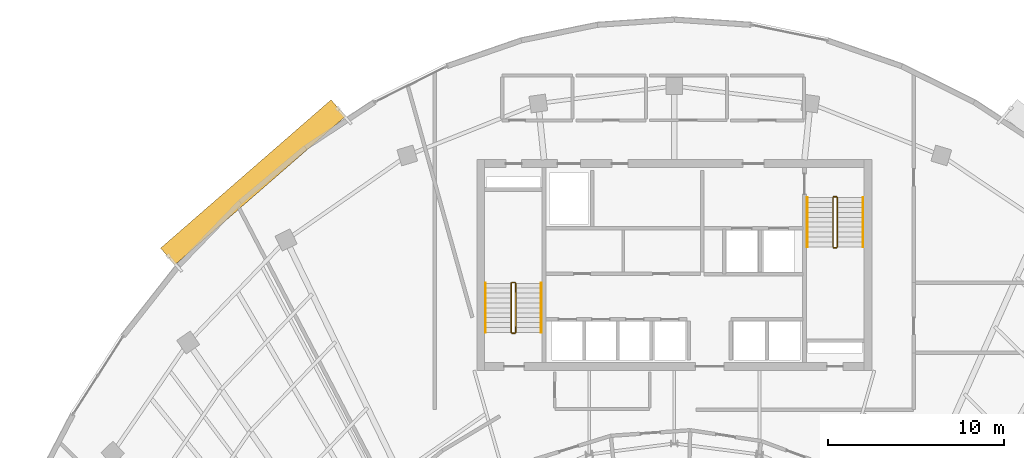
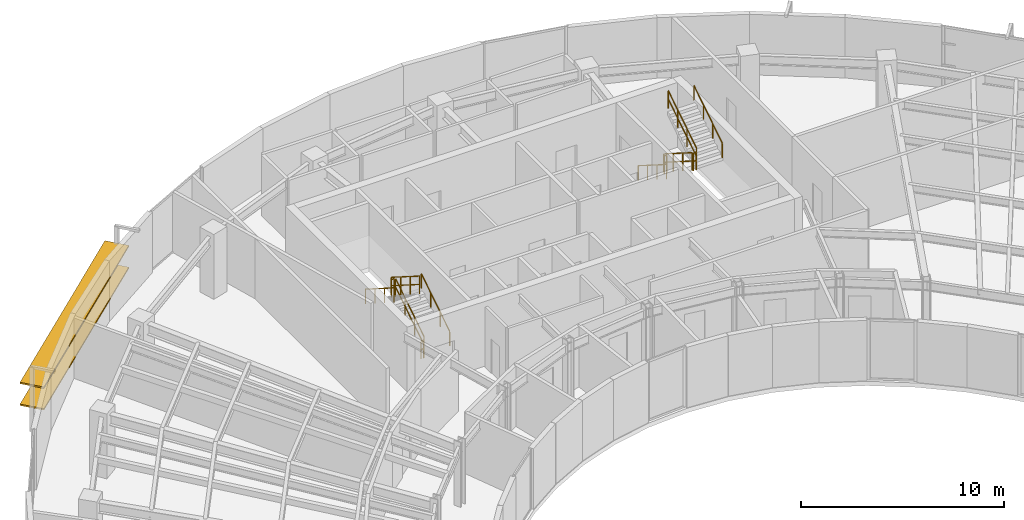
# One storey, part 13 of 14: 12 railings, 2 shading devices.
"""IFC4 building model written with IfcOpenShell, lengths in metres."""

from ifc_helpers import new_model, si_unit, direction, frame, origin, origin_2d, place, context, subcontext, project, spatial, rectangle, extrude, source, transform, mapped, material, material_profile, profile_set, type_object, element, save


model = new_model("IFC4")

# Units and contexts
model_context = context("Model", 3, precision=1e-05, world=origin(), true_north=direction((0.0, 1.0)))
body_context = subcontext(model_context, "Body", "Model", "MODEL_VIEW")
ifc_project = project(units=[si_unit("LENGTHUNIT", "METRE"), si_unit("AREAUNIT", "SQUARE_METRE"), si_unit("VOLUMEUNIT", "CUBIC_METRE"), si_unit("PLANEANGLEUNIT", "RADIAN"), si_unit("MASSUNIT", "GRAM", prefix="KILO")], contexts=[model_context])

# Site, building, storey
site_placement = place(None, origin())
site = spatial("IfcSite", under=ifc_project, at=site_placement, CompositionType="ELEMENT")
building_placement = place(site_placement, origin())
building = spatial("IfcBuilding", under=site, at=building_placement, Name="Breltana Convention Tower", CompositionType="ELEMENT")
storey_placement = place(building_placement, frame((0.0, 0.0, 215.699951171875)))
storey = spatial("IfcBuildingStorey", under=building, at=storey_placement, Name="L52", CompositionType="ELEMENT", Elevation=215.699951171875)

# Railings
ifc_material_1 = material(Name="Steel S275 Painted", Category="steel")
railing_type_1 = type_object("IfcRailingType", Name="RL-STAIR-GUARD-1100", PredefinedType="GUARDRAIL", material=ifc_material_1)
railing_1_placement = place(storey_placement, frame((38.9599609375, 62.360107421875, 0.17724609375)))
element("IfcRailing", 1, at=railing_1_placement, inside=storey, type_object=railing_type_1, Name="L52 ST-1 stair guard 1", PredefinedType="GUARDRAIL", context=body_context, shape_type="SweptSolid", body=[
    extrude(rectangle(XDim=0.048095703125, YDim=0.048095703125, at=origin_2d()), frame((0.0, 0.0, 1.076171875), z_axis=(0.0, 0.844887892834, 0.53494340686), x_axis=(-1.0, 0.0, 0.0)), (0.0, 0.0, 1.0), 3.313720703125),
    extrude(rectangle(XDim=0.048095703125, YDim=0.048095703125, at=origin_2d()), frame((0.0, 0.0, 0.572021484375), z_axis=(0.0, 0.844887892834, 0.53494340686), x_axis=(-1.0, 0.0, 0.0)), (0.0, 0.0, 1.0), 3.313720703125),
    extrude(rectangle(XDim=0.0419921875, YDim=0.0419921875, at=origin_2d()), origin(), (0.0, 0.0, 1.0), 1.052001953125),
    extrude(rectangle(XDim=0.0419921875, YDim=0.0419921875, at=origin_2d()), frame((0.0, 0.933349609375, 0.5908203125)), (0.0, 0.0, 1.0), 1.052001953125),
    extrude(rectangle(XDim=0.0419921875, YDim=0.0419921875, at=origin_2d()), frame((0.0, 1.866455078125, 1.181884765625)), (0.0, 0.0, 1.0), 1.052001953125),
    extrude(rectangle(XDim=0.0419921875, YDim=0.0419921875, at=origin_2d()), frame((0.0, 2.7998046875, 1.772705078125)), (0.0, 0.0, 1.0), 1.052001953125),
])
railing_2_placement = place(storey_placement, frame((38.909912109375, 65.2099609375, 1.949951171875)))
element("IfcRailing", 2, at=railing_2_placement, inside=storey, type_object=railing_type_1, Name="L52 ST-1 stair guard 2", PredefinedType="GUARDRAIL", context=body_context, shape_type="SweptSolid", body=[
    extrude(rectangle(XDim=0.048095703125, YDim=0.048095703125, at=origin_2d()), frame((0.0, 0.0, 1.076171875), z_axis=(-1.0, 0.0, 0.0), x_axis=(0.0, -1.0, 0.0)), (0.0, 0.0, 1.0), 0.14990234375),
    extrude(rectangle(XDim=0.048095703125, YDim=0.048095703125, at=origin_2d()), frame((0.0, 0.0, 0.572021484375), z_axis=(-1.0, 0.0, 0.0), x_axis=(0.0, -1.0, 0.0)), (0.0, 0.0, 1.0), 0.14990234375),
    extrude(rectangle(XDim=0.0419921875, YDim=0.0419921875, at=origin_2d()), origin(), (0.0, 0.0, 1.0), 1.052001953125),
    extrude(rectangle(XDim=0.0419921875, YDim=0.0419921875, at=origin_2d()), frame((-0.14990234375, 0.0, 0.0)), (0.0, 0.0, 1.0), 1.052001953125),
])
railing_3_placement = place(storey_placement, frame((38.7099609375, 65.159912109375, 2.12744140625)))
element("IfcRailing", 3, at=railing_3_placement, inside=storey, type_object=railing_type_1, Name="L52 ST-1 stair guard 3", PredefinedType="GUARDRAIL", context=body_context, shape_type="SweptSolid", body=[
    extrude(rectangle(XDim=0.048095703125, YDim=0.048095703125, at=origin_2d()), frame((0.0, 0.0, 1.076171875), z_axis=(0.0, -0.844887892834, 0.53494340686), x_axis=(1.0, 0.0, 0.0)), (0.0, 0.0, 1.0), 3.313720703125),
    extrude(rectangle(XDim=0.048095703125, YDim=0.048095703125, at=origin_2d()), frame((0.0, 0.0, 0.572021484375), z_axis=(0.0, -0.844887892834, 0.53494340686), x_axis=(1.0, 0.0, 0.0)), (0.0, 0.0, 1.0), 3.313720703125),
    extrude(rectangle(XDim=0.0419921875, YDim=0.0419921875, at=origin_2d()), origin(), (0.0, 0.0, 1.0), 1.052001953125),
    extrude(rectangle(XDim=0.0419921875, YDim=0.0419921875, at=origin_2d()), frame((0.0, -0.933349609375, 0.5908203125)), (0.0, 0.0, 1.0), 1.052001953125),
    extrude(rectangle(XDim=0.0419921875, YDim=0.0419921875, at=origin_2d()), frame((0.0, -1.866455078125, 1.181884765625)), (0.0, 0.0, 1.0), 1.052001953125),
    extrude(rectangle(XDim=0.0419921875, YDim=0.0419921875, at=origin_2d()), frame((0.0, -2.7998046875, 1.772705078125)), (0.0, 0.0, 1.0), 1.052001953125),
])
railing_4_placement = place(storey_placement, frame((38.909912109375, 62.31005859375, 0.0)))
element("IfcRailing", 4, at=railing_4_placement, inside=storey, type_object=railing_type_1, Name="L52 ST-1 stair guard 4", PredefinedType="GUARDRAIL", context=body_context, shape_type="SweptSolid", body=[
    extrude(rectangle(XDim=0.048095703125, YDim=0.048095703125, at=origin_2d()), frame((0.0, 0.0, 1.076171875), z_axis=(-1.0, 0.0, 0.0), x_axis=(0.0, -1.0, 0.0)), (0.0, 0.0, 1.0), 0.14990234375),
    extrude(rectangle(XDim=0.048095703125, YDim=0.048095703125, at=origin_2d()), frame((0.0, 0.0, 0.572021484375), z_axis=(-1.0, 0.0, 0.0), x_axis=(0.0, -1.0, 0.0)), (0.0, 0.0, 1.0), 0.14990234375),
    extrude(rectangle(XDim=0.0419921875, YDim=0.0419921875, at=origin_2d()), origin(), (0.0, 0.0, 1.0), 1.052001953125),
    extrude(rectangle(XDim=0.0419921875, YDim=0.0419921875, at=origin_2d()), frame((-0.14990234375, 0.0, 0.0)), (0.0, 0.0, 1.0), 1.052001953125),
])
railing_5_placement = place(storey_placement, frame((57.0400390625, 70.0400390625, 0.17724609375)))
element("IfcRailing", 5, at=railing_5_placement, inside=storey, type_object=railing_type_1, Name="L52 ST-2 stair guard 1", PredefinedType="GUARDRAIL", context=body_context, shape_type="SweptSolid", body=[
    extrude(rectangle(XDim=0.048095703125, YDim=0.048095703125, at=origin_2d()), frame((0.0, 0.0, 1.076171875), z_axis=(0.0, -0.844908973607, 0.534910110503), x_axis=(1.0, 0.0, 0.0)), (0.0, 0.0, 1.0), 3.31396484375),
    extrude(rectangle(XDim=0.048095703125, YDim=0.048095703125, at=origin_2d()), frame((0.0, 0.0, 0.572021484375), z_axis=(0.0, -0.844908973607, 0.534910110503), x_axis=(1.0, 0.0, 0.0)), (0.0, 0.0, 1.0), 3.31396484375),
    extrude(rectangle(XDim=0.0419921875, YDim=0.0419921875, at=origin_2d()), origin(), (0.0, 0.0, 1.0), 1.052001953125),
    extrude(rectangle(XDim=0.0419921875, YDim=0.0419921875, at=origin_2d()), frame((0.0, -0.933349609375, 0.5908203125)), (0.0, 0.0, 1.0), 1.052001953125),
    extrude(rectangle(XDim=0.0419921875, YDim=0.0419921875, at=origin_2d()), frame((0.0, -1.86669921875, 1.181884765625)), (0.0, 0.0, 1.0), 1.052001953125),
    extrude(rectangle(XDim=0.0419921875, YDim=0.0419921875, at=origin_2d()), frame((0.0, -2.800048828125, 1.772705078125)), (0.0, 0.0, 1.0), 1.052001953125),
])
railing_6_placement = place(storey_placement, frame((57.090087890625, 67.18994140625, 1.949951171875)))
element("IfcRailing", 6, at=railing_6_placement, inside=storey, type_object=railing_type_1, Name="L52 ST-2 stair guard 2", PredefinedType="GUARDRAIL", context=body_context, shape_type="SweptSolid", body=[
    extrude(rectangle(XDim=0.048095703125, YDim=0.048095703125, at=origin_2d()), frame((0.0, 0.0, 1.076171875), z_axis=(1.0, 0.0, 0.0), x_axis=(0.0, 1.0, 0.0)), (0.0, 0.0, 1.0), 0.14990234375),
    extrude(rectangle(XDim=0.048095703125, YDim=0.048095703125, at=origin_2d()), frame((0.0, 0.0, 0.572021484375), z_axis=(1.0, 0.0, 0.0), x_axis=(0.0, 1.0, 0.0)), (0.0, 0.0, 1.0), 0.14990234375),
    extrude(rectangle(XDim=0.0419921875, YDim=0.0419921875, at=origin_2d()), origin(), (0.0, 0.0, 1.0), 1.052001953125),
    extrude(rectangle(XDim=0.0419921875, YDim=0.0419921875, at=origin_2d()), frame((0.14990234375, 0.0, 0.0)), (0.0, 0.0, 1.0), 1.052001953125),
])
railing_7_placement = place(storey_placement, frame((57.2900390625, 67.239990234375, 2.12744140625)))
element("IfcRailing", 7, at=railing_7_placement, inside=storey, type_object=railing_type_1, Name="L52 ST-2 stair guard 3", PredefinedType="GUARDRAIL", context=body_context, shape_type="SweptSolid", body=[
    extrude(rectangle(XDim=0.048095703125, YDim=0.048095703125, at=origin_2d()), frame((0.0, 0.0, 1.076171875), z_axis=(0.0, 0.844908973607, 0.534910110503), x_axis=(-1.0, 0.0, 0.0)), (0.0, 0.0, 1.0), 3.31396484375),
    extrude(rectangle(XDim=0.048095703125, YDim=0.048095703125, at=origin_2d()), frame((0.0, 0.0, 0.572021484375), z_axis=(0.0, 0.844908973607, 0.534910110503), x_axis=(-1.0, 0.0, 0.0)), (0.0, 0.0, 1.0), 3.31396484375),
    extrude(rectangle(XDim=0.0419921875, YDim=0.0419921875, at=origin_2d()), origin(), (0.0, 0.0, 1.0), 1.052001953125),
    extrude(rectangle(XDim=0.0419921875, YDim=0.0419921875, at=origin_2d()), frame((0.0, 0.933349609375, 0.5908203125)), (0.0, 0.0, 1.0), 1.052001953125),
    extrude(rectangle(XDim=0.0419921875, YDim=0.0419921875, at=origin_2d()), frame((0.0, 1.86669921875, 1.181884765625)), (0.0, 0.0, 1.0), 1.052001953125),
    extrude(rectangle(XDim=0.0419921875, YDim=0.0419921875, at=origin_2d()), frame((0.0, 2.800048828125, 1.772705078125)), (0.0, 0.0, 1.0), 1.052001953125),
])
railing_8_placement = place(storey_placement, frame((57.090087890625, 70.090087890625, 0.0)))
element("IfcRailing", 8, at=railing_8_placement, inside=storey, type_object=railing_type_1, Name="L52 ST-2 stair guard 4", PredefinedType="GUARDRAIL", context=body_context, shape_type="SweptSolid", body=[
    extrude(rectangle(XDim=0.048095703125, YDim=0.048095703125, at=origin_2d()), frame((0.0, 0.0, 1.076171875), z_axis=(1.0, 0.0, 0.0), x_axis=(0.0, 1.0, 0.0)), (0.0, 0.0, 1.0), 0.14990234375),
    extrude(rectangle(XDim=0.048095703125, YDim=0.048095703125, at=origin_2d()), frame((0.0, 0.0, 0.572021484375), z_axis=(1.0, 0.0, 0.0), x_axis=(0.0, 1.0, 0.0)), (0.0, 0.0, 1.0), 0.14990234375),
    extrude(rectangle(XDim=0.0419921875, YDim=0.0419921875, at=origin_2d()), origin(), (0.0, 0.0, 1.0), 1.052001953125),
    extrude(rectangle(XDim=0.0419921875, YDim=0.0419921875, at=origin_2d()), frame((0.14990234375, 0.0, 0.0)), (0.0, 0.0, 1.0), 1.052001953125),
])
ifc_material_2 = material(Name="Stainless Steel 316L", Category="steel")
railing_type_2 = type_object("IfcRailingType", Name="RL-STAIR-HANDRAIL-900", PredefinedType="HANDRAIL", material=ifc_material_2)
railing_9_placement = place(storey_placement, frame((40.419921875, 62.360107421875, 0.17724609375)))
element("IfcRailing", 9, at=railing_9_placement, inside=storey, type_object=railing_type_2, Name="L52 ST-1 stair handrail 1", PredefinedType="HANDRAIL", context=body_context, shape_type="SweptSolid", body=[
    extrude(rectangle(XDim=0.048095703125, YDim=0.048095703125, at=origin_2d()), frame((0.0, 0.0, 0.8759765625), z_axis=(0.0, 0.844887892834, 0.53494340686), x_axis=(-1.0, 0.0, 0.0)), (0.0, 0.0, 1.0), 3.313720703125),
    extrude(rectangle(XDim=0.0419921875, YDim=0.0419921875, at=origin_2d()), origin(), (0.0, 0.0, 1.0), 0.851806640625),
    extrude(rectangle(XDim=0.0419921875, YDim=0.0419921875, at=origin_2d()), frame((0.0, 0.933349609375, 0.5908203125)), (0.0, 0.0, 1.0), 0.851806640625),
    extrude(rectangle(XDim=0.0419921875, YDim=0.0419921875, at=origin_2d()), frame((0.0, 1.866455078125, 1.181884765625)), (0.0, 0.0, 1.0), 0.851806640625),
    extrude(rectangle(XDim=0.0419921875, YDim=0.0419921875, at=origin_2d()), frame((0.0, 2.7998046875, 1.772705078125)), (0.0, 0.0, 1.0), 0.851806640625),
])
railing_10_placement = place(storey_placement, frame((37.25, 65.159912109375, 2.12744140625)))
element("IfcRailing", 10, at=railing_10_placement, inside=storey, type_object=railing_type_2, Name="L52 ST-1 stair handrail 2", PredefinedType="HANDRAIL", context=body_context, shape_type="SweptSolid", body=[
    extrude(rectangle(XDim=0.048095703125, YDim=0.048095703125, at=origin_2d()), frame((0.0, 0.0, 0.8759765625), z_axis=(0.0, -0.844887892834, 0.53494340686), x_axis=(1.0, 0.0, 0.0)), (0.0, 0.0, 1.0), 3.313720703125),
    extrude(rectangle(XDim=0.0419921875, YDim=0.0419921875, at=origin_2d()), origin(), (0.0, 0.0, 1.0), 0.851806640625),
    extrude(rectangle(XDim=0.0419921875, YDim=0.0419921875, at=origin_2d()), frame((0.0, -0.933349609375, 0.5908203125)), (0.0, 0.0, 1.0), 0.851806640625),
    extrude(rectangle(XDim=0.0419921875, YDim=0.0419921875, at=origin_2d()), frame((0.0, -1.866455078125, 1.181884765625)), (0.0, 0.0, 1.0), 0.851806640625),
    extrude(rectangle(XDim=0.0419921875, YDim=0.0419921875, at=origin_2d()), frame((0.0, -2.7998046875, 1.772705078125)), (0.0, 0.0, 1.0), 0.851806640625),
])
railing_11_placement = place(storey_placement, frame((55.580078125, 70.0400390625, 0.17724609375)))
element("IfcRailing", 11, at=railing_11_placement, inside=storey, type_object=railing_type_2, Name="L52 ST-2 stair handrail 1", PredefinedType="HANDRAIL", context=body_context, shape_type="SweptSolid", body=[
    extrude(rectangle(XDim=0.048095703125, YDim=0.048095703125, at=origin_2d()), frame((0.0, 0.0, 0.8759765625), z_axis=(0.0, -0.844908973607, 0.534910110503), x_axis=(1.0, 0.0, 0.0)), (0.0, 0.0, 1.0), 3.31396484375),
    extrude(rectangle(XDim=0.0419921875, YDim=0.0419921875, at=origin_2d()), origin(), (0.0, 0.0, 1.0), 0.851806640625),
    extrude(rectangle(XDim=0.0419921875, YDim=0.0419921875, at=origin_2d()), frame((0.0, -0.933349609375, 0.5908203125)), (0.0, 0.0, 1.0), 0.851806640625),
    extrude(rectangle(XDim=0.0419921875, YDim=0.0419921875, at=origin_2d()), frame((0.0, -1.86669921875, 1.181884765625)), (0.0, 0.0, 1.0), 0.851806640625),
    extrude(rectangle(XDim=0.0419921875, YDim=0.0419921875, at=origin_2d()), frame((0.0, -2.800048828125, 1.772705078125)), (0.0, 0.0, 1.0), 0.851806640625),
])
railing_12_placement = place(storey_placement, frame((58.75, 67.239990234375, 2.12744140625)))
element("IfcRailing", 12, at=railing_12_placement, inside=storey, type_object=railing_type_2, Name="L52 ST-2 stair handrail 2", PredefinedType="HANDRAIL", context=body_context, shape_type="SweptSolid", body=[
    extrude(rectangle(XDim=0.048095703125, YDim=0.048095703125, at=origin_2d()), frame((0.0, 0.0, 0.8759765625), z_axis=(0.0, 0.844908973607, 0.534910110503), x_axis=(-1.0, 0.0, 0.0)), (0.0, 0.0, 1.0), 3.31396484375),
    extrude(rectangle(XDim=0.0419921875, YDim=0.0419921875, at=origin_2d()), origin(), (0.0, 0.0, 1.0), 0.851806640625),
    extrude(rectangle(XDim=0.0419921875, YDim=0.0419921875, at=origin_2d()), frame((0.0, 0.933349609375, 0.5908203125)), (0.0, 0.0, 1.0), 0.851806640625),
    extrude(rectangle(XDim=0.0419921875, YDim=0.0419921875, at=origin_2d()), frame((0.0, 1.86669921875, 1.181884765625)), (0.0, 0.0, 1.0), 0.851806640625),
    extrude(rectangle(XDim=0.0419921875, YDim=0.0419921875, at=origin_2d()), frame((0.0, 2.800048828125, 1.772705078125)), (0.0, 0.0, 1.0), 0.851806640625),
])

# Shading devices
ifc_material_3 = material(Name="Limestone Warm Buff Honed", Category="masonry")
ifc_material_profile = material_profile(ifc_material_3, rectangle(XDim=1.25, YDim=0.090087890625, at=origin_2d()), Name="STN-LVR-1250X90")
ifc_profile_set = profile_set([ifc_material_profile], Name="Limestone Warm Buff Honed")
shading_device_type = type_object("IfcShadingDeviceType", Name="SHD-OUTER-SKIN-LIMESTONE-1250", PredefinedType="JALOUSIE", material=ifc_profile_set)
shared_shape = source(origin(), body_context, "Body", "SweptSolid", [
    extrude(rectangle(XDim=1.25, YDim=0.090087890625, at=origin_2d()), origin(), (0.0, 0.0, 1.0), 12.87255859375),
])
for number, where, z_axis, x_axis, name in (
    (13, (19.147216796875, 66.69140625, 1.310546875), (0.754370287864, 0.656449136482, 0.0), (-0.656449136482, 0.754370287864, 0.0), "L52 outer skin warm limestone louvre 1.1"),
    (14, (19.147216796875, 66.69140625, 2.620849609375), (0.754370287864, 0.656449136482, 0.0), (-0.656449136482, 0.754370287864, 0.0), "L52 outer skin warm limestone louvre 1.2"),
):
    element("IfcShadingDevice", number, at=place(storey_placement, frame(where, z_axis=z_axis, x_axis=x_axis)), inside=storey, type_object=shading_device_type, Name=name, PredefinedType="JALOUSIE", context=body_context, shape_type="MappedRepresentation", body=[
        mapped(shared_shape, transform((0.0, 0.0, 0.0), scale=1.0)),
    ])

save(model, "model.ifc")
